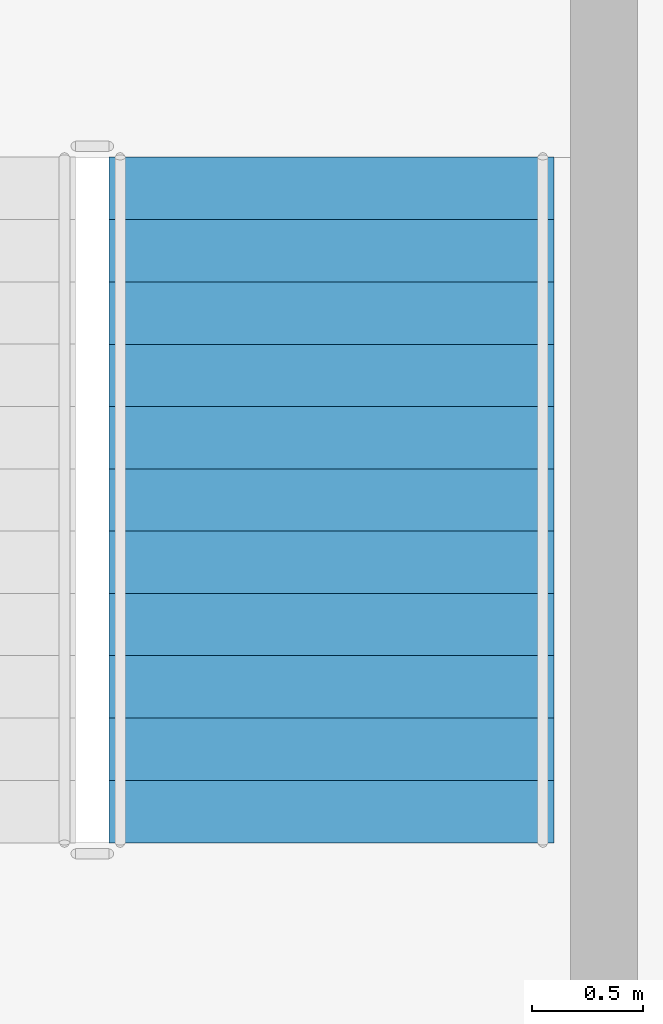
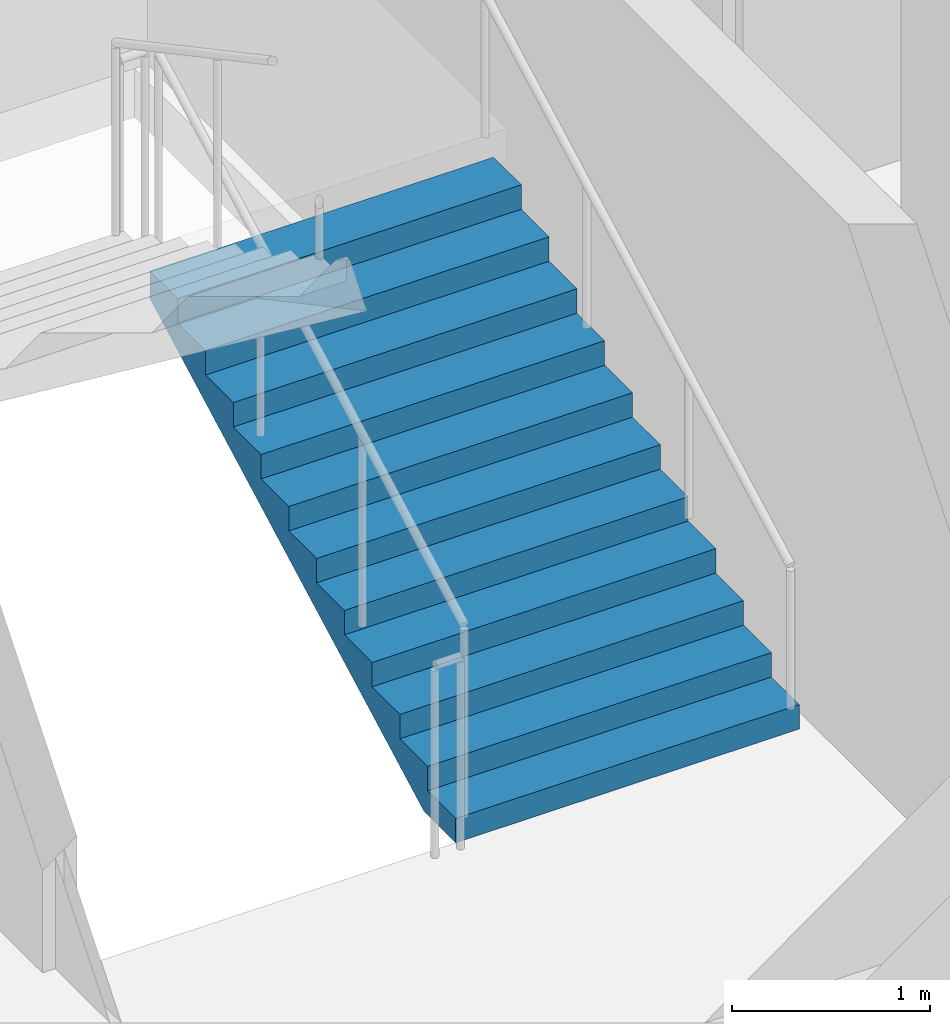
# One storey, part 12 of 15: 1 stair flight, 1 element without a shape of its own.
"""IFC4 building model written with IfcOpenShell, lengths in metres."""

from ifc_helpers import new_model, si_unit, direction, frame, origin, place, context, subcontext, project, spatial, polygons, material, type_object, element, aggregate, save


model = new_model("IFC4")

# Units and contexts
model_context = context("Model", 3, precision=1e-05, world=origin(), true_north=direction((0.0, 1.0)))
body_context = subcontext(model_context, "Body", "Model", "MODEL_VIEW")
ifc_project = project(units=[si_unit("LENGTHUNIT", "METRE"), si_unit("AREAUNIT", "SQUARE_METRE"), si_unit("VOLUMEUNIT", "CUBIC_METRE"), si_unit("PLANEANGLEUNIT", "RADIAN"), si_unit("MASSUNIT", "GRAM", prefix="KILO")], contexts=[model_context])

# Site, building, storey
site_placement = place(None, origin())
site = spatial("IfcSite", under=ifc_project, at=site_placement, CompositionType="ELEMENT")
building_placement = place(site_placement, origin())
building = spatial("IfcBuilding", under=site, at=building_placement, Name="Caravel Reach Hotel and Residences", CompositionType="ELEMENT")
storey_placement = place(building_placement, frame((0.0, 0.0, 78.0)))
storey = spatial("IfcBuildingStorey", under=building, at=storey_placement, Name="L18", CompositionType="ELEMENT", Elevation=78.0)

# Stair, stair flight
ifc_material_1 = material(Name="Concrete C40", Category="concrete")
stair_type = type_object("IfcStairType", Name="Core stair", PredefinedType="HALF_TURN_STAIR", material=ifc_material_1)
stair_placement = place(storey_placement, origin())
stair = element("IfcStair", 1, at=stair_placement, inside=storey, type_object=stair_type, Name="L18 Exit stair B", PredefinedType="HALF_TURN_STAIR")
ifc_material_2 = material(Name="Concrete C40", Category="concrete")
stair_flight_type = type_object("IfcStairFlightType", Name="Core stair flight", PredefinedType="STRAIGHT", material=ifc_material_2)
stair_flight_placement = place(storey_placement, frame((43.77490234375, 24.64990234375, 0.0), z_axis=(0.0, 0.0, 1.0), x_axis=(0.0, 1.0, 0.0)))
stair_flight = element("IfcStairFlight", 2, at=stair_flight_placement, type_object=stair_flight_type, Name="ST-B flight 1", NumberOfRisers=12, NumberOfTreads=11, PredefinedType="STRAIGHT", RiserHeight=0.15, TreadLength=0.28, context=body_context, shape_type="Tessellation", body=[
    polygons([(0.3174408016601862, 1.0, 0.0), (0.3174408016601862, 0.6666666666666667, 0.0), (0.3174408016601862, 0.33333333333333337, 0.0), (0.3174408016601862, 0.0, 0.0), (0.3174408016601862, -0.33333333333333326, 0.0), (0.3174408016601862, -0.6666666666666667, 0.0), (0.3174408016601862, -1.0, 0.0), (3.081, 1.0, 1.479942427682043), (3.081, 0.6666666666666667, 1.479942427682043), (3.081, 0.33333333333333337, 1.479942427682043), (3.081, 0.0, 1.479942427682043), (3.081, -0.33333333333333326, 1.479942427682043), (3.081, -0.6666666666666667, 1.479942427682043), (3.081, -1.0, 1.479942427682043), (3.081, 1.0, 1.65), (3.081, 0.6666666666666667, 1.65), (3.081, 0.33333333333333337, 1.65), (3.081, 0.0, 1.65), (3.081, -0.33333333333333326, 1.65), (3.081, -0.6666666666666667, 1.65), (3.081, -1.0, 1.65), (2.8000000000000003, 1.0, 1.65), (2.8000000000000003, 0.6666666666666667, 1.65), (2.8000000000000003, 0.33333333333333337, 1.65), (2.8000000000000003, 0.0, 1.65), (2.8000000000000003, -0.33333333333333326, 1.65), (2.8000000000000003, -0.6666666666666667, 1.65), (2.8000000000000003, -1.0, 1.65), (2.8000000000000003, 1.0, 1.5), (2.8000000000000003, 0.6666666666666667, 1.5), (2.8000000000000003, 0.33333333333333337, 1.5), (2.8000000000000003, 0.0, 1.5), (2.8000000000000003, -0.33333333333333326, 1.5), (2.8000000000000003, -0.6666666666666667, 1.5), (2.8000000000000003, -1.0, 1.5), (2.5200000000000005, 1.0, 1.5), (2.5200000000000005, 0.6666666666666667, 1.5), (2.5200000000000005, 0.33333333333333337, 1.5), (2.5200000000000005, 0.0, 1.5), (2.5200000000000005, -0.33333333333333326, 1.5), (2.5200000000000005, -0.6666666666666667, 1.5), (2.5200000000000005, -1.0, 1.5), (2.5200000000000005, 1.0, 1.3499999999999999), (2.5200000000000005, 0.6666666666666667, 1.3499999999999999), (2.5200000000000005, 0.33333333333333337, 1.3499999999999999), (2.5200000000000005, 0.0, 1.3499999999999999), (2.5200000000000005, -0.33333333333333326, 1.3499999999999999), (2.5200000000000005, -0.6666666666666667, 1.3499999999999999), (2.5200000000000005, -1.0, 1.3499999999999999), (2.24, 1.0, 1.3499999999999999), (2.24, 0.6666666666666667, 1.3499999999999999), (2.24, 0.33333333333333337, 1.3499999999999999), (2.24, 0.0, 1.3499999999999999), (2.24, -0.33333333333333326, 1.3499999999999999), (2.24, -0.6666666666666667, 1.3499999999999999), (2.24, -1.0, 1.3499999999999999), (2.24, 1.0, 1.2), (2.24, 0.6666666666666667, 1.2), (2.24, 0.33333333333333337, 1.2), (2.24, 0.0, 1.2), (2.24, -0.33333333333333326, 1.2), (2.24, -0.6666666666666667, 1.2), (2.24, -1.0, 1.2), (1.9600000000000002, 1.0, 1.2), (1.9600000000000002, 0.6666666666666667, 1.2), (1.9600000000000002, 0.33333333333333337, 1.2), (1.9600000000000002, 0.0, 1.2), (1.9600000000000002, -0.33333333333333326, 1.2), (1.9600000000000002, -0.6666666666666667, 1.2), (1.9600000000000002, -1.0, 1.2), (1.9600000000000002, 1.0, 1.05), (1.9600000000000002, 0.6666666666666667, 1.05), (1.9600000000000002, 0.33333333333333337, 1.05), (1.9600000000000002, 0.0, 1.05), (1.9600000000000002, -0.33333333333333326, 1.05), (1.9600000000000002, -0.6666666666666667, 1.05), (1.9600000000000002, -1.0, 1.05), (1.6800000000000002, 1.0, 1.05), (1.6800000000000002, 0.6666666666666667, 1.05), (1.6800000000000002, 0.33333333333333337, 1.05), (1.6800000000000002, 0.0, 1.05), (1.6800000000000002, -0.33333333333333326, 1.05), (1.6800000000000002, -0.6666666666666667, 1.05), (1.6800000000000002, -1.0, 1.05), (1.6800000000000002, 1.0, 0.8999999999999999), (1.6800000000000002, 0.6666666666666667, 0.8999999999999999), (1.6800000000000002, 0.33333333333333337, 0.8999999999999999), (1.6800000000000002, 0.0, 0.8999999999999999), (1.6800000000000002, -0.33333333333333326, 0.8999999999999999), (1.6800000000000002, -0.6666666666666667, 0.8999999999999999), (1.6800000000000002, -1.0, 0.8999999999999999), (1.4000000000000001, 1.0, 0.8999999999999999), (1.4000000000000001, 0.6666666666666667, 0.8999999999999999), (1.4000000000000001, 0.33333333333333337, 0.8999999999999999), (1.4000000000000001, 0.0, 0.8999999999999999), (1.4000000000000001, -0.33333333333333326, 0.8999999999999999), (1.4000000000000001, -0.6666666666666667, 0.8999999999999999), (1.4000000000000001, -1.0, 0.8999999999999999), (1.4000000000000001, 1.0, 0.75), (1.4000000000000001, 0.6666666666666667, 0.75), (1.4000000000000001, 0.33333333333333337, 0.75), (1.4000000000000001, 0.0, 0.75), (1.4000000000000001, -0.33333333333333326, 0.75), (1.4000000000000001, -0.6666666666666667, 0.75), (1.4000000000000001, -1.0, 0.75), (1.12, 1.0, 0.75), (1.12, 0.6666666666666667, 0.75), (1.12, 0.33333333333333337, 0.75), (1.12, 0.0, 0.75), (1.12, -0.33333333333333326, 0.75), (1.12, -0.6666666666666667, 0.75), (1.12, -1.0, 0.75), (1.12, 1.0, 0.6), (1.12, 0.6666666666666667, 0.6), (1.12, 0.33333333333333337, 0.6), (1.12, 0.0, 0.6), (1.12, -0.33333333333333326, 0.6), (1.12, -0.6666666666666667, 0.6), (1.12, -1.0, 0.6), (0.8400000000000001, 1.0, 0.6), (0.8400000000000001, 0.6666666666666667, 0.6), (0.8400000000000001, 0.33333333333333337, 0.6), (0.8400000000000001, 0.0, 0.6), (0.8400000000000001, -0.33333333333333326, 0.6), (0.8400000000000001, -0.6666666666666667, 0.6), (0.8400000000000001, -1.0, 0.6), (0.8400000000000001, 1.0, 0.44999999999999996), (0.8400000000000001, 0.6666666666666667, 0.44999999999999996), (0.8400000000000001, 0.33333333333333337, 0.44999999999999996), (0.8400000000000001, 0.0, 0.44999999999999996), (0.8400000000000001, -0.33333333333333326, 0.44999999999999996), (0.8400000000000001, -0.6666666666666667, 0.44999999999999996), (0.8400000000000001, -1.0, 0.44999999999999996), (0.56, 1.0, 0.44999999999999996), (0.56, 0.6666666666666667, 0.44999999999999996), (0.56, 0.33333333333333337, 0.44999999999999996), (0.56, 0.0, 0.44999999999999996), (0.56, -0.33333333333333326, 0.44999999999999996), (0.56, -0.6666666666666667, 0.44999999999999996), (0.56, -1.0, 0.44999999999999996), (0.56, 1.0, 0.3), (0.56, 0.6666666666666667, 0.3), (0.56, 0.33333333333333337, 0.3), (0.56, 0.0, 0.3), (0.56, -0.33333333333333326, 0.3), (0.56, -0.6666666666666667, 0.3), (0.56, -1.0, 0.3), (0.28, 1.0, 0.3), (0.28, 0.6666666666666667, 0.3), (0.28, 0.33333333333333337, 0.3), (0.28, 0.0, 0.3), (0.28, -0.33333333333333326, 0.3), (0.28, -0.6666666666666667, 0.3), (0.28, -1.0, 0.3), (0.28, 1.0, 0.15), (0.28, 0.6666666666666667, 0.15), (0.28, 0.33333333333333337, 0.15), (0.28, 0.0, 0.15), (0.28, -0.33333333333333326, 0.15), (0.28, -0.6666666666666667, 0.15), (0.28, -1.0, 0.15), (-0.001, 1.0, 0.15), (-0.001, 0.6666666666666667, 0.15), (-0.001, 0.33333333333333337, 0.15), (-0.001, 0.0, 0.15), (-0.001, -0.33333333333333326, 0.15), (-0.001, -0.6666666666666667, 0.15), (-0.001, -1.0, 0.15), (-0.001, 1.0, 0.0), (-0.001, 0.6666666666666667, 0.0), (-0.001, 0.33333333333333337, 0.0), (-0.001, 0.0, 0.0), (-0.001, -0.33333333333333326, 0.0), (-0.001, -0.6666666666666667, 0.0), (-0.001, -1.0, 0.0)], [[[169, 162, 155, 148, 141, 134, 127, 120, 113, 106, 99, 92, 85, 78, 71, 64, 57, 50, 43, 36, 29, 22, 15, 8, 1]], [[7, 14, 21, 28, 35, 42, 49, 56, 63, 70, 77, 84, 91, 98, 105, 112, 119, 126, 133, 140, 147, 154, 161, 168, 175]], [[1, 8, 9, 2]], [[2, 9, 10, 3]], [[3, 10, 11, 4]], [[4, 11, 12, 5]], [[5, 12, 13, 6]], [[6, 13, 14, 7]], [[8, 15, 16, 9]], [[9, 16, 17, 10]], [[10, 17, 18, 11]], [[11, 18, 19, 12]], [[12, 19, 20, 13]], [[13, 20, 21, 14]], [[15, 22, 23, 16]], [[16, 23, 24, 17]], [[17, 24, 25, 18]], [[18, 25, 26, 19]], [[19, 26, 27, 20]], [[20, 27, 28, 21]], [[22, 29, 30, 23]], [[23, 30, 31, 24]], [[24, 31, 32, 25]], [[25, 32, 33, 26]], [[26, 33, 34, 27]], [[27, 34, 35, 28]], [[29, 36, 37, 30]], [[30, 37, 38, 31]], [[31, 38, 39, 32]], [[32, 39, 40, 33]], [[33, 40, 41, 34]], [[34, 41, 42, 35]], [[36, 43, 44, 37]], [[37, 44, 45, 38]], [[38, 45, 46, 39]], [[39, 46, 47, 40]], [[40, 47, 48, 41]], [[41, 48, 49, 42]], [[43, 50, 51, 44]], [[44, 51, 52, 45]], [[45, 52, 53, 46]], [[46, 53, 54, 47]], [[47, 54, 55, 48]], [[48, 55, 56, 49]], [[50, 57, 58, 51]], [[51, 58, 59, 52]], [[52, 59, 60, 53]], [[53, 60, 61, 54]], [[54, 61, 62, 55]], [[55, 62, 63, 56]], [[57, 64, 65, 58]], [[58, 65, 66, 59]], [[59, 66, 67, 60]], [[60, 67, 68, 61]], [[61, 68, 69, 62]], [[62, 69, 70, 63]], [[64, 71, 72, 65]], [[65, 72, 73, 66]], [[66, 73, 74, 67]], [[67, 74, 75, 68]], [[68, 75, 76, 69]], [[69, 76, 77, 70]], [[71, 78, 79, 72]], [[72, 79, 80, 73]], [[73, 80, 81, 74]], [[74, 81, 82, 75]], [[75, 82, 83, 76]], [[76, 83, 84, 77]], [[78, 85, 86, 79]], [[79, 86, 87, 80]], [[80, 87, 88, 81]], [[81, 88, 89, 82]], [[82, 89, 90, 83]], [[83, 90, 91, 84]], [[85, 92, 93, 86]], [[86, 93, 94, 87]], [[87, 94, 95, 88]], [[88, 95, 96, 89]], [[89, 96, 97, 90]], [[90, 97, 98, 91]], [[92, 99, 100, 93]], [[93, 100, 101, 94]], [[94, 101, 102, 95]], [[95, 102, 103, 96]], [[96, 103, 104, 97]], [[97, 104, 105, 98]], [[99, 106, 107, 100]], [[100, 107, 108, 101]], [[101, 108, 109, 102]], [[102, 109, 110, 103]], [[103, 110, 111, 104]], [[104, 111, 112, 105]], [[106, 113, 114, 107]], [[107, 114, 115, 108]], [[108, 115, 116, 109]], [[109, 116, 117, 110]], [[110, 117, 118, 111]], [[111, 118, 119, 112]], [[113, 120, 121, 114]], [[114, 121, 122, 115]], [[115, 122, 123, 116]], [[116, 123, 124, 117]], [[117, 124, 125, 118]], [[118, 125, 126, 119]], [[120, 127, 128, 121]], [[121, 128, 129, 122]], [[122, 129, 130, 123]], [[123, 130, 131, 124]], [[124, 131, 132, 125]], [[125, 132, 133, 126]], [[127, 134, 135, 128]], [[128, 135, 136, 129]], [[129, 136, 137, 130]], [[130, 137, 138, 131]], [[131, 138, 139, 132]], [[132, 139, 140, 133]], [[134, 141, 142, 135]], [[135, 142, 143, 136]], [[136, 143, 144, 137]], [[137, 144, 145, 138]], [[138, 145, 146, 139]], [[139, 146, 147, 140]], [[141, 148, 149, 142]], [[142, 149, 150, 143]], [[143, 150, 151, 144]], [[144, 151, 152, 145]], [[145, 152, 153, 146]], [[146, 153, 154, 147]], [[148, 155, 156, 149]], [[149, 156, 157, 150]], [[150, 157, 158, 151]], [[151, 158, 159, 152]], [[152, 159, 160, 153]], [[153, 160, 161, 154]], [[155, 162, 163, 156]], [[156, 163, 164, 157]], [[157, 164, 165, 158]], [[158, 165, 166, 159]], [[159, 166, 167, 160]], [[160, 167, 168, 161]], [[162, 169, 170, 163]], [[163, 170, 171, 164]], [[164, 171, 172, 165]], [[165, 172, 173, 166]], [[166, 173, 174, 167]], [[167, 174, 175, 168]], [[169, 1, 2, 170]], [[170, 2, 3, 171]], [[171, 3, 4, 172]], [[172, 4, 5, 173]], [[173, 5, 6, 174]], [[174, 6, 7, 175]]], closed=True),
])
aggregate(stair, [stair_flight])

save(model, "model.ifc")
